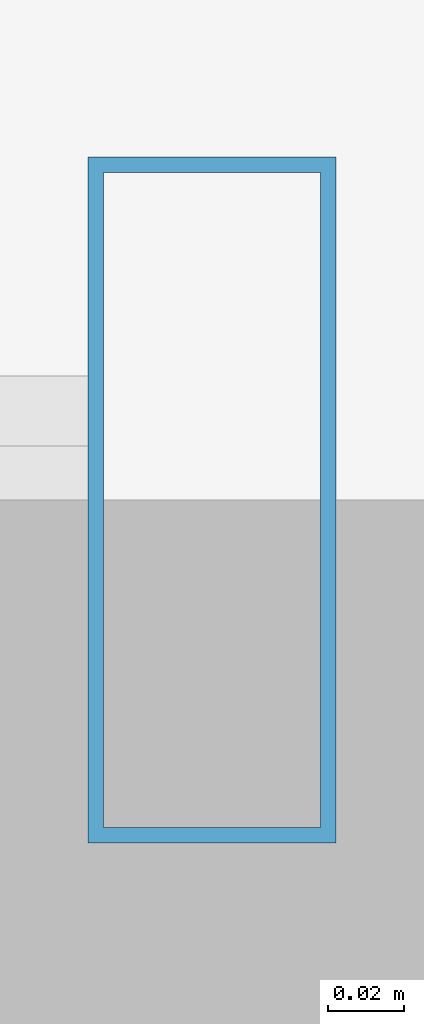
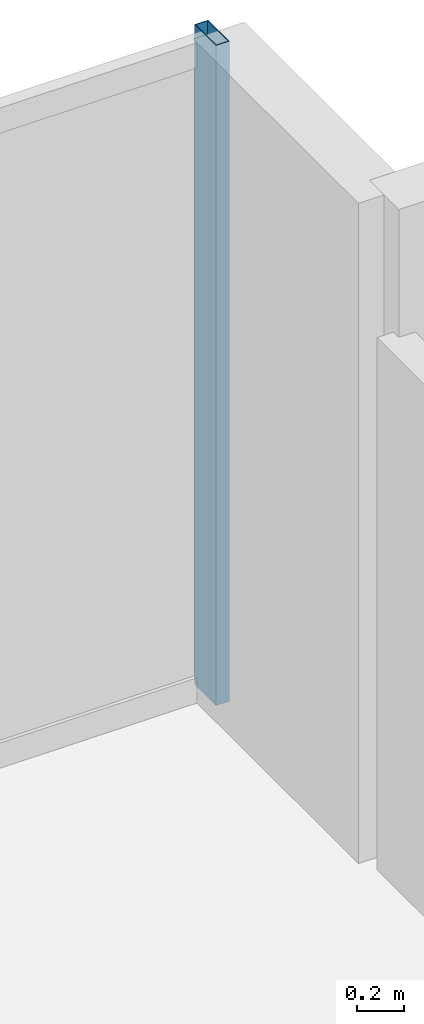
# One storey, part 27 of 36: 1 member, 1 element without a shape of its own.
"""IFC4 building model written with IfcOpenShell, lengths in metres."""

from ifc_helpers import new_model, si_unit, direction, frame, origin, origin_2d, place, context, subcontext, project, spatial, hollow_rectangle, extrude, source, transform, mapped, material, material_profile, profile_set, type_object, element, aggregate, save


model = new_model("IFC4")

# Units and contexts
model_context = context("Model", 3, precision=1e-05, world=origin(), true_north=direction((0.0, 1.0)))
body_context = subcontext(model_context, "Body", "Model", "MODEL_VIEW")
ifc_project = project(units=[si_unit("LENGTHUNIT", "METRE"), si_unit("AREAUNIT", "SQUARE_METRE"), si_unit("VOLUMEUNIT", "CUBIC_METRE"), si_unit("PLANEANGLEUNIT", "RADIAN"), si_unit("MASSUNIT", "GRAM", prefix="KILO")], contexts=[model_context])

# Site, building, storey
site_placement = place(None, origin())
site = spatial("IfcSite", under=ifc_project, at=site_placement, CompositionType="ELEMENT")
building_placement = place(site_placement, origin())
building = spatial("IfcBuilding", under=site, at=building_placement, Name="Nahalor Promenade Grand Hotel", CompositionType="ELEMENT")
storey_placement = place(building_placement, frame((0.0, 0.0, 212.300048828125)))
storey = spatial("IfcBuildingStorey", under=building, at=storey_placement, Name="L54", CompositionType="ELEMENT", Elevation=212.300048828125)

# Curtain wall, member
ifc_material = material(Name="Anodised Bronze Aluminium EN AW-6063 T6", Category="aluminium")
curtain_wall_type = type_object("IfcCurtainWallType", Name="CW2 Typical Hotel Flush Bronze Unitised Curtain Wall", PredefinedType="USERDEFINED", material=ifc_material)
curtain_wall_placement = place(storey_placement, origin())
curtain_wall = element("IfcCurtainWall", 1, at=curtain_wall_placement, inside=storey, type_object=curtain_wall_type, Name="L54 Curtain Wall CW-L54-N-3", ObjectType="UNITISED_CURTAIN_WALL", PredefinedType="USERDEFINED")
ifc_material_profile = material_profile(ifc_material, hollow_rectangle(XDim=0.065, YDim=0.18, WallThickness=0.004, at=origin_2d()), Name="CWM 65x180x4")
ifc_profile_set = profile_set([ifc_material_profile], Name="Anodised Bronze Aluminium EN AW-6063 T6")
member_type = type_object("IfcMemberType", Name="CWM2 Typical Bronze Mullion 65x180", PredefinedType="MULLION", material=ifc_profile_set)
shared_shape = source(origin(), body_context, "Body", "SweptSolid", [
    extrude(hollow_rectangle(XDim=0.065, YDim=0.18, WallThickness=0.004, at=origin_2d()), origin(), (0.0, 0.0, 1.0), 3.409912109375),
])
member_placement = place(storey_placement, frame((21.12744140625, 23.9599609375, 0.0), z_axis=(0.0, 0.0, 1.0), x_axis=(1.0, 0.0, 0.0)))
member = element("IfcMember", 2, at=member_placement, type_object=member_type, Name="CW-L54-N-3 Mullion 3", PredefinedType="MULLION", context=body_context, shape_type="MappedRepresentation", body=[
    mapped(shared_shape, transform((0.0, 0.0, 0.0), scale=1.0)),
])
aggregate(curtain_wall, [member])

save(model, "model.ifc")
